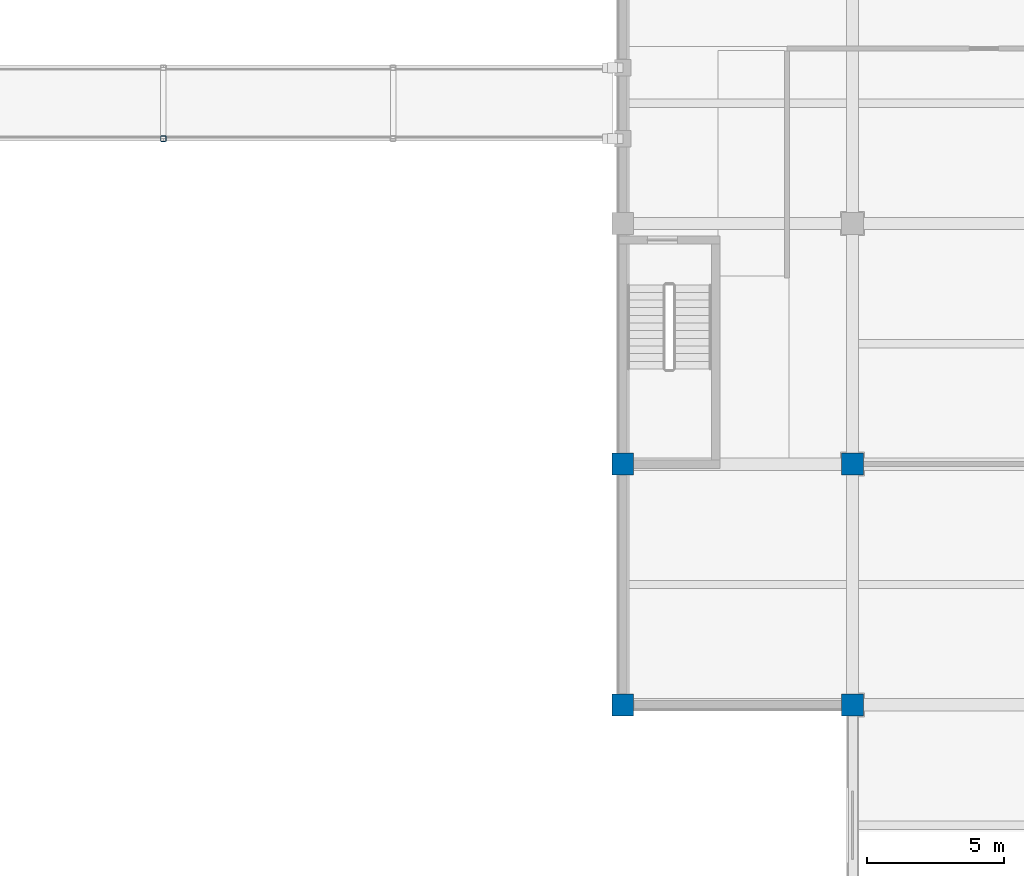
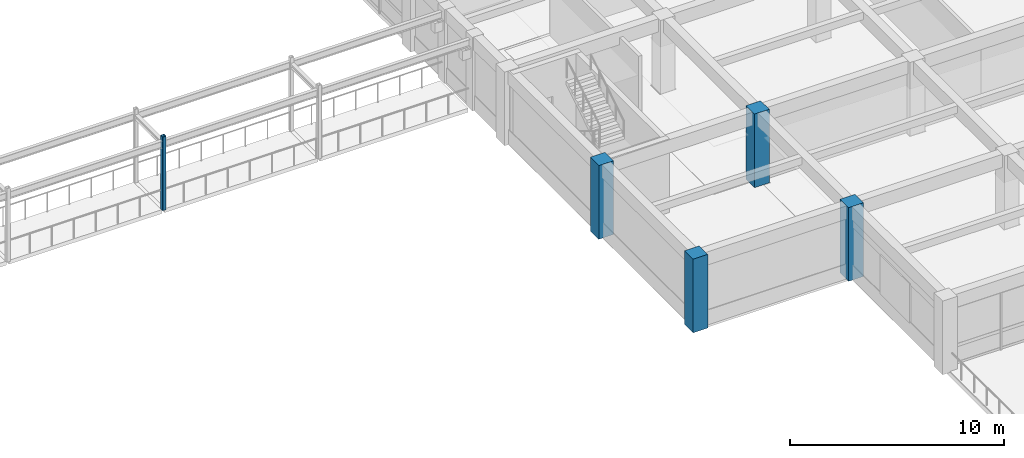
# One storey, part 9 of 57: 5 columns.
"""IFC4 building model written with IfcOpenShell, lengths in metres."""

from ifc_helpers import new_model, si_unit, direction, frame, origin, origin_2d, place, context, subcontext, project, spatial, rectangle, hollow_rectangle, extrude, material, material_profile, profile_set, type_object, element, save


model = new_model("IFC4")

# Units and contexts
model_context = context("Model", 3, precision=1e-05, world=origin(), true_north=direction((0.0, 1.0)))
body_context = subcontext(model_context, "Body", "Model", "MODEL_VIEW")
ifc_project = project(units=[si_unit("LENGTHUNIT", "METRE"), si_unit("AREAUNIT", "SQUARE_METRE"), si_unit("VOLUMEUNIT", "CUBIC_METRE"), si_unit("PLANEANGLEUNIT", "RADIAN"), si_unit("MASSUNIT", "GRAM", prefix="KILO")], contexts=[model_context])

# Site, building, storey
site_placement = place(None, origin())
site = spatial("IfcSite", under=ifc_project, at=site_placement, CompositionType="ELEMENT")
building_placement = place(site_placement, origin())
building = spatial("IfcBuilding", under=site, at=building_placement, Name="Kemercrest Conservatory and Botanical Centre", CompositionType="ELEMENT")
storey_placement = place(building_placement, frame((0.0, 0.0, 4.800048828125)))
storey = spatial("IfcBuildingStorey", under=building, at=storey_placement, Name="L01", CompositionType="ELEMENT", Elevation=4.800048828125)

# Columns
ifc_material_1 = material(Name="Concrete C50/60", Category="concrete")
ifc_material_profile_1 = material_profile(ifc_material_1, rectangle(XDim=0.800048828125, YDim=0.800048828125, at=origin_2d()), Name="RC 800x800")
ifc_profile_set_1 = profile_set([ifc_material_profile_1], Name="Concrete C50/60")
column_type_1 = type_object("IfcColumnType", Name="C-RC80", PredefinedType="COLUMN", material=ifc_profile_set_1)
for number, where, z_axis, x_axis, name in (
    (1, (125.60009765625, 78.39990234375, 0.0), (0.0, 0.0, 1.0), (1.0, 0.0, 0.0), "Tower column C-RC80 15/J"),
    (2, (125.60009765625, 87.199951171875, 0.0), (0.0, 0.0, 1.0), (1.0, 0.0, 0.0), "Tower column C-RC80 15/K"),
    (3, (134.0, 78.39990234375, 0.0), (0.0, 0.0, 1.0), (1.0, 0.0, 0.0), "Tower column C-RC80 16/J"),
    (4, (134.0, 87.199951171875, 0.0), (0.0, 0.0, 1.0), (1.0, 0.0, 0.0), "Tower column C-RC80 16/K"),
):
    element("IfcColumn", number, at=place(storey_placement, frame(where, z_axis=z_axis, x_axis=x_axis)), inside=storey, type_object=column_type_1, Name=name, PredefinedType="COLUMN", context=body_context, shape_type="SweptSolid", body=[
        extrude(rectangle(XDim=0.800048828125, YDim=0.800048828125, at=origin_2d()), origin(), (0.0, 0.0, 1.0), 4.199951171875),
    ])
ifc_material_2 = material(Name="Steel CSA G40.21 350W", Category="steel")
ifc_material_profile_2 = material_profile(ifc_material_2, hollow_rectangle(XDim=0.203125, YDim=0.203125, WallThickness=0.0126953125, InnerFilletRadius=0.0126953125, OuterFilletRadius=0.02490234375, at=origin_2d()), Name="HSS 203x203x12.7")
ifc_profile_set_2 = profile_set([ifc_material_profile_2], Name="Steel CSA G40.21 350W")
column_type_2 = type_object("IfcColumnType", Name="C-S203", PredefinedType="COLUMN", material=ifc_profile_set_2)
column_placement = place(storey_placement, frame((108.800048828125, 99.10009765625, 0.0), z_axis=(0.0, 0.0, 1.0), x_axis=(1.0, 0.0, 0.0)))
element("IfcColumn", 5, at=column_placement, inside=storey, type_object=column_type_2, Name="North Courtyard Covered Passage SJ-3 support column P2-1", PredefinedType="COLUMN", context=body_context, shape_type="SweptSolid", body=[
    extrude(hollow_rectangle(XDim=0.203125, YDim=0.203125, WallThickness=0.0126953125, InnerFilletRadius=0.0126953125, OuterFilletRadius=0.02490234375, at=origin_2d()), origin(), (0.0, 0.0, 1.0), 4.199951171875),
])

save(model, "model.ifc")
